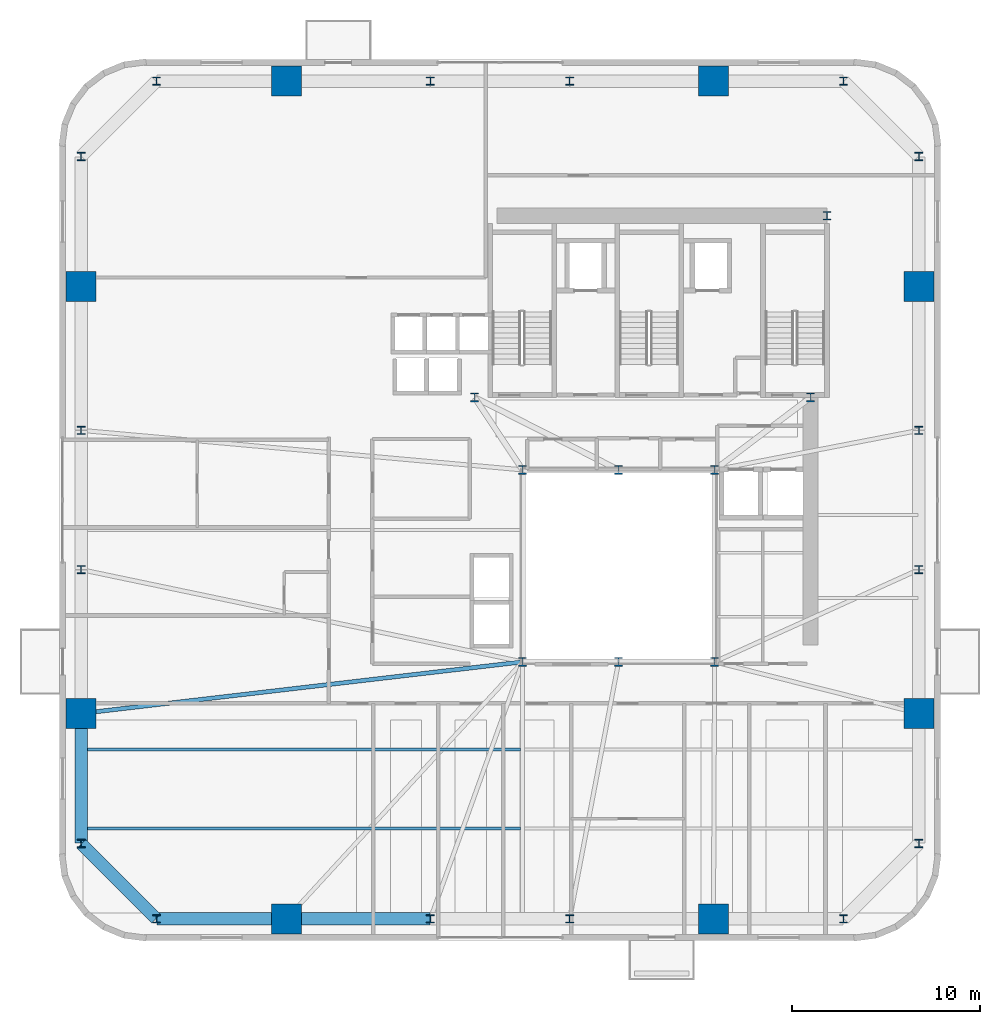
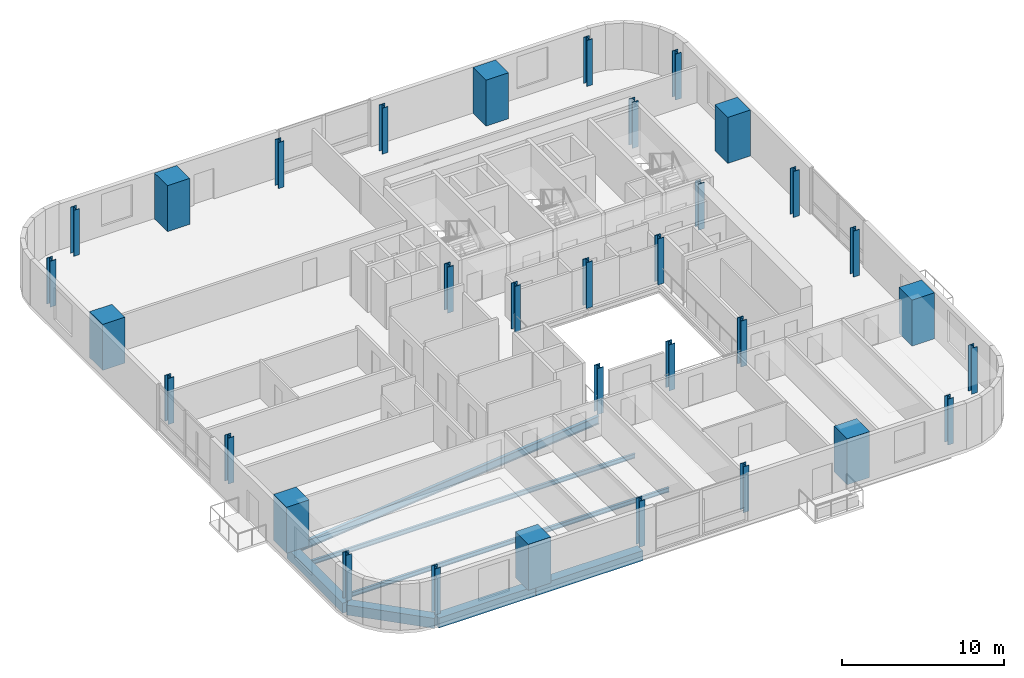
# One storey, part 1 of 11: 33 columns, 7 beams.
"""IFC4 building model written with IfcOpenShell, lengths in metres."""

from ifc_helpers import new_model, si_unit, direction, frame, origin, origin_2d, place, context, subcontext, project, spatial, rectangle, i_section, extrude, source, transform, mapped, material, material_profile, profile_set, type_object, element, save


model = new_model("IFC4")

# Units and contexts
model_context = context("Model", 3, precision=1e-05, world=origin(), true_north=direction((0.0, 1.0)))
body_context = subcontext(model_context, "Body", "Model", "MODEL_VIEW")
ifc_project = project(units=[si_unit("LENGTHUNIT", "METRE"), si_unit("AREAUNIT", "SQUARE_METRE"), si_unit("VOLUMEUNIT", "CUBIC_METRE"), si_unit("PLANEANGLEUNIT", "RADIAN"), si_unit("MASSUNIT", "GRAM", prefix="KILO")], contexts=[model_context])

# Site, building, storey
site_placement = place(None, origin())
site = spatial("IfcSite", under=ifc_project, at=site_placement, CompositionType="ELEMENT")
building_placement = place(site_placement, origin())
building = spatial("IfcBuilding", under=site, at=building_placement, Name="Vardaveli Station Tower", CompositionType="ELEMENT")
storey_placement = place(building_placement, frame((0.0, 0.0, 137.199951171875)))
storey = spatial("IfcBuildingStorey", under=building, at=storey_placement, Name="L35", CompositionType="ELEMENT", Elevation=137.199951171875)

# Columns
ifc_material_1 = material(Name="Structural steel S460M", Category="steel")
ifc_material_profile_1 = material_profile(ifc_material_1, i_section(OverallWidth=0.424072265625, OverallDepth=0.465087890625, WebThickness=0.034912109375, FlangeThickness=0.055908203125, FilletRadius=0.014892578125, at=origin_2d()), Name="HD 400x592")
ifc_profile_set_1 = profile_set([ifc_material_profile_1], Name="Structural steel S460M")
column_type_1 = type_object("IfcColumnType", Name="COL-HD592", PredefinedType="COLUMN", material=ifc_profile_set_1)
shared_shape_1 = source(origin(), body_context, "Body", "SweptSolid", [
    extrude(i_section(OverallWidth=0.424072265625, OverallDepth=0.465087890625, WebThickness=0.034912109375, FlangeThickness=0.055908203125, FilletRadius=0.014892578125, at=origin_2d()), origin(), (0.0, 0.0, 1.0), 3.4599609375),
])
for number, where, z_axis, x_axis, name in (
    (1, (31.199951171875, 16.60009765625, 0.0), (0.0, 0.0, 1.0), (1.0, 0.0, 0.0), "COL-L35-AC1"),
    (2, (36.300048828125, 16.60009765625, 0.0), (0.0, 0.0, 1.0), (1.0, 0.0, 0.0), "COL-L35-AC2"),
    (3, (41.39990234375, 16.60009765625, 0.0), (0.0, 0.0, 1.0), (1.0, 0.0, 0.0), "COL-L35-AC3"),
    (4, (41.39990234375, 26.800048828125, 0.0), (0.0, 0.0, 1.0), (1.0, 0.0, 0.0), "COL-L35-AC4"),
    (5, (36.300048828125, 26.800048828125, 0.0), (0.0, 0.0, 1.0), (1.0, 0.0, 0.0), "COL-L35-AC5"),
    (6, (31.199951171875, 26.800048828125, 0.0), (0.0, 0.0, 1.0), (1.0, 0.0, 0.0), "COL-L35-AC6"),
    (7, (28.64990234375, 30.64990234375, 0.0), (0.0, 0.0, 1.0), (1.0, 0.0, 0.0), "COL-L35-CC1"),
    (8, (46.5, 30.64990234375, 0.0), (0.0, 0.0, 1.0), (1.0, 0.0, 0.0), "COL-L35-CC2"),
    (9, (47.3701171875, 40.300048828125, 0.0), (0.0, 0.0, 1.0), (1.0, 0.0, 0.0), "COL-L35-CC3"),
):
    element("IfcColumn", number, at=place(storey_placement, frame(where, z_axis=z_axis, x_axis=x_axis)), inside=storey, type_object=column_type_1, Name=name, PredefinedType="COLUMN", context=body_context, shape_type="MappedRepresentation", body=[
        mapped(shared_shape_1, transform((0.0, 0.0, 0.0), scale=1.0)),
    ])
ifc_material_2 = material(Name="Concrete C60/75", Category="concrete")
ifc_material_profile_2 = material_profile(ifc_material_2, rectangle(XDim=1.60009765625, YDim=1.60009765625, at=origin_2d()), Name="MC 1600x1600")
ifc_profile_set_2 = profile_set([ifc_material_profile_2], Name="Concrete C60/75")
column_type_2 = type_object("IfcColumnType", Name="COL-MC-1600", PredefinedType="COLUMN", material=ifc_profile_set_2)
shared_shape_2 = source(origin(), body_context, "Body", "SweptSolid", [
    extrude(rectangle(XDim=1.60009765625, YDim=1.60009765625, at=origin_2d()), origin(), (0.0, 0.0, 1.0), 3.4599609375),
])
for number, where, z_axis, x_axis, name in (
    (10, (18.659912109375, 2.949951171875, 0.0), (0.0, 0.0, 1.0), (1.0, 0.0, 0.0), "COL-L35-MC1"),
    (11, (41.340087890625, 2.949951171875, 0.0), (0.0, 0.0, 1.0), (1.0, 0.0, 0.0), "COL-L35-MC2"),
    (12, (52.25, 13.860107421875, 0.0), (0.0, 0.0, 1.0), (1.0, 0.0, 0.0), "COL-L35-MC3"),
    (13, (52.25, 36.5400390625, 0.0), (0.0, 0.0, 1.0), (1.0, 0.0, 0.0), "COL-L35-MC4"),
    (14, (41.340087890625, 47.449951171875, 0.0), (0.0, 0.0, 1.0), (1.0, 0.0, 0.0), "COL-L35-MC5"),
    (15, (18.659912109375, 47.449951171875, 0.0), (0.0, 0.0, 1.0), (1.0, 0.0, 0.0), "COL-L35-MC6"),
    (16, (7.75, 36.5400390625, 0.0), (0.0, 0.0, 1.0), (1.0, 0.0, 0.0), "COL-L35-MC7"),
    (17, (7.75, 13.860107421875, 0.0), (0.0, 0.0, 1.0), (1.0, 0.0, 0.0), "COL-L35-MC8"),
):
    element("IfcColumn", number, at=place(storey_placement, frame(where, z_axis=z_axis, x_axis=x_axis)), inside=storey, type_object=column_type_2, Name=name, PredefinedType="COLUMN", context=body_context, shape_type="MappedRepresentation", body=[
        mapped(shared_shape_2, transform((0.0, 0.0, 0.0), scale=1.0)),
    ])
ifc_material_profile_3 = material_profile(ifc_material_1, i_section(OverallWidth=0.4140625, OverallDepth=0.431884765625, WebThickness=0.025634765625, FlangeThickness=0.0400390625, FilletRadius=0.014892578125, at=origin_2d()), Name="HD 400x421")
ifc_profile_set_3 = profile_set([ifc_material_profile_3], Name="Structural steel S460M")
column_type_3 = type_object("IfcColumnType", Name="COL-HD421", PredefinedType="COLUMN", material=ifc_profile_set_3)
shared_shape_3 = source(origin(), body_context, "Body", "SweptSolid", [
    extrude(i_section(OverallWidth=0.4140625, OverallDepth=0.431884765625, WebThickness=0.025634765625, FlangeThickness=0.0400390625, FilletRadius=0.014892578125, at=origin_2d()), origin(), (0.0, 0.0, 1.0), 3.4599609375),
])
for number, where, z_axis, x_axis, name in (
    (18, (11.75, 2.949951171875, 0.0), (0.0, 0.0, 1.0), (1.0, 0.0, 0.0), "COL-L35-PC01"),
    (19, (26.300048828125, 2.949951171875, 0.0), (0.0, 0.0, 1.0), (1.0, 0.0, 0.0), "COL-L35-PC02"),
    (20, (33.699951171875, 2.949951171875, 0.0), (0.0, 0.0, 1.0), (1.0, 0.0, 0.0), "COL-L35-PC03"),
    (21, (48.25, 2.949951171875, 0.0), (0.0, 0.0, 1.0), (1.0, 0.0, 0.0), "COL-L35-PC04"),
    (22, (52.25, 6.949951171875, 0.0), (0.0, 0.0, 1.0), (1.0, 0.0, 0.0), "COL-L35-PC05"),
    (23, (52.25, 21.5, 0.0), (0.0, 0.0, 1.0), (1.0, 0.0, 0.0), "COL-L35-PC06"),
    (24, (52.25, 28.89990234375, 0.0), (0.0, 0.0, 1.0), (1.0, 0.0, 0.0), "COL-L35-PC07"),
    (25, (52.25, 43.449951171875, 0.0), (0.0, 0.0, 1.0), (1.0, 0.0, 0.0), "COL-L35-PC08"),
    (26, (48.25, 47.449951171875, 0.0), (0.0, 0.0, 1.0), (1.0, 0.0, 0.0), "COL-L35-PC09"),
    (27, (33.699951171875, 47.449951171875, 0.0), (0.0, 0.0, 1.0), (1.0, 0.0, 0.0), "COL-L35-PC10"),
    (28, (26.300048828125, 47.449951171875, 0.0), (0.0, 0.0, 1.0), (1.0, 0.0, 0.0), "COL-L35-PC11"),
    (29, (11.75, 47.449951171875, 0.0), (0.0, 0.0, 1.0), (1.0, 0.0, 0.0), "COL-L35-PC12"),
    (30, (7.75, 43.449951171875, 0.0), (0.0, 0.0, 1.0), (1.0, 0.0, 0.0), "COL-L35-PC13"),
    (31, (7.75, 28.89990234375, 0.0), (0.0, 0.0, 1.0), (1.0, 0.0, 0.0), "COL-L35-PC14"),
    (32, (7.75, 21.5, 0.0), (0.0, 0.0, 1.0), (1.0, 0.0, 0.0), "COL-L35-PC15"),
    (33, (7.75, 6.949951171875, 0.0), (0.0, 0.0, 1.0), (1.0, 0.0, 0.0), "COL-L35-PC16"),
):
    element("IfcColumn", number, at=place(storey_placement, frame(where, z_axis=z_axis, x_axis=x_axis)), inside=storey, type_object=column_type_3, Name=name, PredefinedType="COLUMN", context=body_context, shape_type="MappedRepresentation", body=[
        mapped(shared_shape_3, transform((0.0, 0.0, 0.0), scale=1.0)),
    ])

# Beams
ifc_material_3 = material(Name="Precast concrete C45/55", Category="concrete")
ifc_material_profile_4 = material_profile(ifc_material_3, rectangle(XDim=0.64990234375, YDim=0.75, at=origin_2d()), Name="LPB 650x750")
ifc_profile_set_4 = profile_set([ifc_material_profile_4], Name="Precast concrete C45/55")
beam_type_1 = type_object("IfcBeamType", Name="BM-LPB-750", PredefinedType="BEAM", material=ifc_profile_set_4)
shared_shape_4 = source(origin(), body_context, "Body", "SweptSolid", [
    extrude(rectangle(XDim=0.64990234375, YDim=0.75, at=origin_2d()), origin(), (0.0, 0.0, 1.0), 7.60009765625),
])
beam_1_placement = place(storey_placement, frame((18.679931640625, 2.949951171875, -0.614990234375), z_axis=(1.0, 0.0, 0.0), x_axis=(0.0, 1.0, 0.0)))
element("IfcBeam", 34, at=beam_1_placement, inside=storey, type_object=beam_type_1, Name="RBM-L35-01", PredefinedType="BEAM", context=body_context, shape_type="MappedRepresentation", body=[
    mapped(shared_shape_4, transform((0.0, 0.0, 0.0), scale=1.0)),
])
shared_shape_5 = source(origin(), body_context, "Body", "SweptSolid", [
    extrude(rectangle(XDim=0.64990234375, YDim=0.75, at=origin_2d()), origin(), (0.0, 0.0, 1.0), 6.869873046875),
])
beam_2_placement = place(storey_placement, frame((11.77001953125, 2.949951171875, -0.614990234375), z_axis=(1.0, 0.0, 0.0), x_axis=(0.0, 1.0, 0.0)))
element("IfcBeam", 35, at=beam_2_placement, inside=storey, type_object=beam_type_1, Name="RBM-L35-24", PredefinedType="BEAM", context=body_context, shape_type="MappedRepresentation", body=[
    mapped(shared_shape_5, transform((0.0, 0.0, 0.0), scale=1.0)),
])
shared_shape_6 = source(origin(), body_context, "Body", "SweptSolid", [
    extrude(rectangle(XDim=0.64990234375, YDim=0.75, at=origin_2d()), origin(), (0.0, 0.0, 1.0), 5.61669921875),
])
beam_3_placement = place(storey_placement, frame((7.76416015625, 6.935791015625, -0.614990234375), z_axis=(0.707106781187, -0.707106781187, 0.0), x_axis=(0.707106781187, 0.707106781187, 0.0)))
element("IfcBeam", 36, at=beam_3_placement, inside=storey, type_object=beam_type_1, Name="RBM-L35-23", PredefinedType="BEAM", context=body_context, shape_type="MappedRepresentation", body=[
    mapped(shared_shape_6, transform((0.0, 0.0, 0.0), scale=1.0)),
])
shared_shape_7 = source(origin(), body_context, "Body", "SweptSolid", [
    extrude(rectangle(XDim=0.64990234375, YDim=0.75, at=origin_2d()), origin(), (0.0, 0.0, 1.0), 6.8701171875),
])
beam_4_placement = place(storey_placement, frame((7.75, 13.840087890625, -0.614990234375), z_axis=(0.0, -1.0, 0.0), x_axis=(1.0, 0.0, 0.0)))
element("IfcBeam", 37, at=beam_4_placement, inside=storey, type_object=beam_type_1, Name="RBM-L35-22", PredefinedType="BEAM", context=body_context, shape_type="MappedRepresentation", body=[
    mapped(shared_shape_7, transform((0.0, 0.0, 0.0), scale=1.0)),
])
ifc_material_4 = material(Name="Structural steel S355J2", Category="steel")
ifc_material_profile_5 = material_profile(ifc_material_4, i_section(OverallWidth=0.159912109375, OverallDepth=0.330078125, WebThickness=0.007568359375, FlangeThickness=0.011474609375, FilletRadius=0.01806640625, at=origin_2d()), Name="IPE 330")
ifc_profile_set_5 = profile_set([ifc_material_profile_5], Name="Structural steel S355J2")
beam_type_2 = type_object("IfcBeamType", Name="BM-IPE330", PredefinedType="JOIST", material=ifc_profile_set_5)
shared_shape_8 = source(origin(), body_context, "Body", "SweptSolid", [
    extrude(i_section(OverallWidth=0.159912109375, OverallDepth=0.330078125, WebThickness=0.007568359375, FlangeThickness=0.011474609375, FilletRadius=0.01806640625, at=origin_2d()), origin(), (0.0, 0.0, 1.0), 23.2978515625),
])
for number, where, z_axis, x_axis, name in (
    (38, (7.7900390625, 7.75, -0.405029296875), (1.0, 0.0, 0.0), (0.0, 1.0, 0.0), "SJ-L35-S01"),
    (39, (7.7900390625, 11.949951171875, -0.405029296875), (1.0, 0.0, 0.0), (0.0, 1.0, 0.0), "SJ-L35-S03"),
):
    element("IfcBeam", number, at=place(storey_placement, frame(where, z_axis=z_axis, x_axis=x_axis)), inside=storey, type_object=beam_type_2, Name=name, PredefinedType="JOIST", context=body_context, shape_type="MappedRepresentation", body=[
        mapped(shared_shape_8, transform((0.0, 0.0, 0.0), scale=1.0)),
    ])
ifc_material_profile_6 = material_profile(ifc_material_4, i_section(OverallWidth=0.219970703125, OverallDepth=0.60009765625, WebThickness=0.011962890625, FlangeThickness=0.01904296875, FilletRadius=0.02392578125, at=origin_2d()), Name="IPE 600")
ifc_profile_set_6 = profile_set([ifc_material_profile_6], Name="Structural steel S355J2")
beam_type_3 = type_object("IfcBeamType", Name="BM-IPE600", PredefinedType="BEAM", material=ifc_profile_set_6)
shared_shape_9 = source(origin(), body_context, "Body", "SweptSolid", [
    extrude(i_section(OverallWidth=0.219970703125, OverallDepth=0.60009765625, WebThickness=0.011962890625, FlangeThickness=0.01904296875, FilletRadius=0.02392578125, at=origin_2d()), origin(), (0.0, 0.0, 1.0), 23.569580078125),
])
beam_5_placement = place(storey_placement, frame((7.769775390625, 13.8623046875, -0.5400390625), z_axis=(0.993242915589, 0.11605391261, 0.0), x_axis=(-0.11605391261, 0.993242915589, 0.0)))
element("IfcBeam", 40, at=beam_5_placement, inside=storey, type_object=beam_type_3, Name="GBM-L35-10", PredefinedType="BEAM", context=body_context, shape_type="MappedRepresentation", body=[
    mapped(shared_shape_9, transform((0.0, 0.0, 0.0), scale=1.0)),
])

save(model, "model.ifc")
